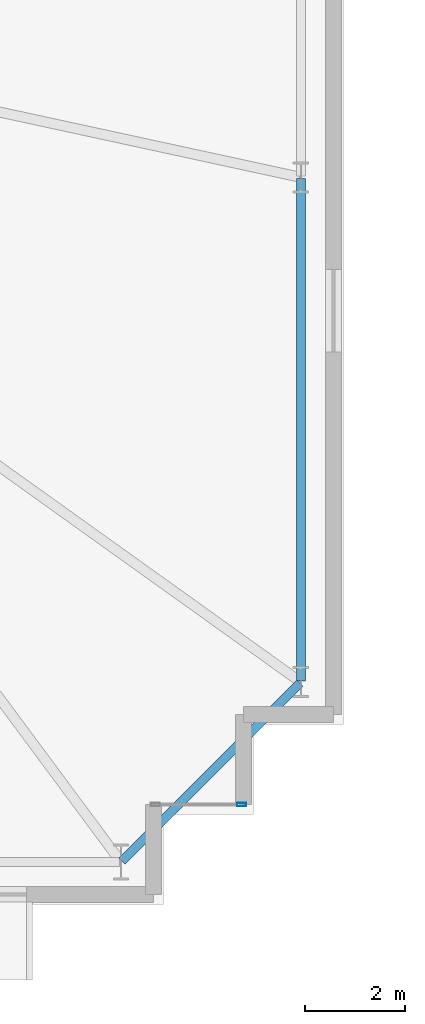
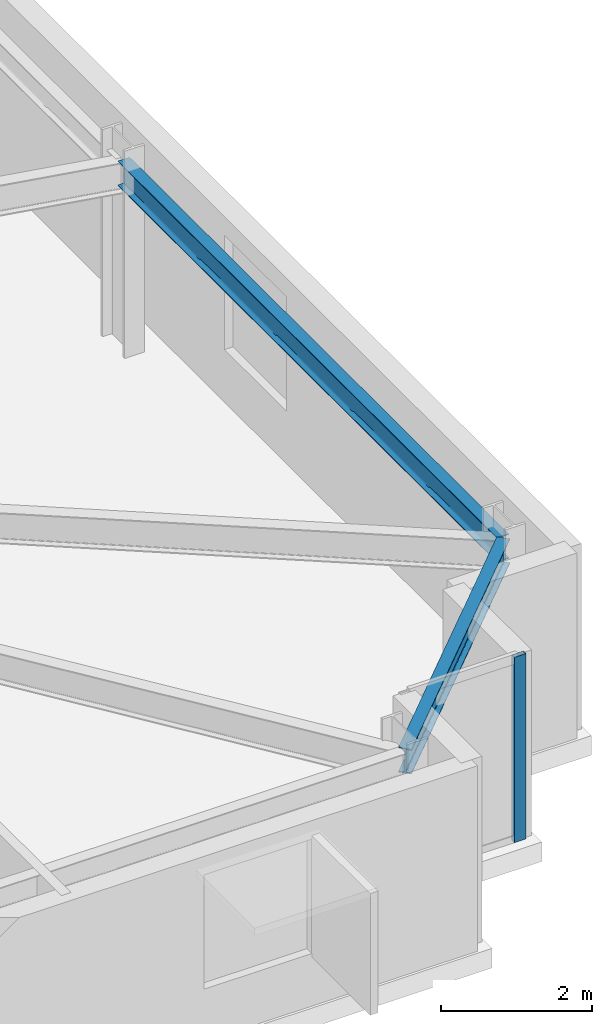
# One storey, part 10 of 20: 2 beams, 1 member, 1 element without a shape of its own.
"""IFC4 building model written with IfcOpenShell, lengths in metres."""

import ifcopenshell
import ifcopenshell.guid

model = None  # the IFC model being written
_history = None  # IfcOwnerHistory: only IFC2X3 demands one
_inside = {}  # id of a spatial element -> (the spatial element, [elements in it])
_under = {}  # id of a project, library or spatial element -> (it, [spatial elements below it])
_declared = {}  # id of a project -> (the project, [libraries it declares])
_typed = {}  # id of a type object -> (the type object, [elements of that type])
_made_of = {}  # id of a material, layer set ... -> (it, [elements and type objects made of it])


def new_model(schema):
    """Start an empty IFC model of exactly this schema.

    Asked for "IFC4X3", IfcOpenShell would pick the latest addendum, in which some entities
    have other attributes; the version numbers below select the first issue.
    IFC2X3 requires an IfcOwnerHistory on every rooted entity: one is made here for all.
    """
    global model, _history
    if schema == "IFC4X3":
        model = ifcopenshell.file(schema_version=(4, 3, 0, 0))
    else:
        model = ifcopenshell.file(schema=schema)
    _inside.clear()
    _under.clear()
    _declared.clear()
    _typed.clear()
    _made_of.clear()
    _history = None
    if model.schema == "IFC2X3":
        org = make("IfcOrganization", Name="unknown")
        user = make(
            "IfcPersonAndOrganization",
            ThePerson=make("IfcPerson", FamilyName="unknown"),
            TheOrganization=org,
        )
        app = make(
            "IfcApplication",
            ApplicationDeveloper=org,
            Version="unknown",
            ApplicationFullName="unknown",
            ApplicationIdentifier="unknown",
        )
        _history = make(
            "IfcOwnerHistory",
            OwningUser=user,
            OwningApplication=app,
            ChangeAction="ADDED",
            CreationDate=0,
        )
    return model


def make(cls, **values):
    """One entity of the class cls with the attributes given. An attribute that is None is left unset."""
    return model.create_entity(
        cls, **{name: value for name, value in values.items() if value is not None}
    )


def rooted(cls, **values):
    """An entity with a GlobalId (a new one), such as an element, a storey or a relation."""
    return make(cls, GlobalId=ifcopenshell.guid.new(), OwnerHistory=_history, **values)


def si_unit(unit_type, name, prefix=None):
    """IfcSIUnit, for example si_unit("LENGTHUNIT", "METRE", prefix="MILLI")."""
    return make("IfcSIUnit", UnitType=unit_type, Prefix=prefix, Name=name)


def assignment(units):
    """IfcUnitAssignment: the units of a project."""
    return None if units is None else make("IfcUnitAssignment", Units=units)


def point(xyz):
    """IfcCartesianPoint."""
    return None if xyz is None else make("IfcCartesianPoint", Coordinates=xyz)


def direction(xyz):
    """IfcDirection."""
    return None if xyz is None else make("IfcDirection", DirectionRatios=xyz)


def frame(location, z_axis=None, x_axis=None):
    """IfcAxis2Placement3D, a coordinate frame: its origin and axes. An axis left out is left unset."""
    return make(
        "IfcAxis2Placement3D",
        Location=point(location),
        Axis=direction(z_axis),
        RefDirection=direction(x_axis),
    )


def frame_2d(location, x_axis=None):
    """IfcAxis2Placement2D, a coordinate frame in the plane: its origin and x axis."""
    return make(
        "IfcAxis2Placement2D", Location=point(location), RefDirection=direction(x_axis)
    )


def origin():
    """The frame at (0, 0, 0) with its axes left unset."""
    return frame((0.0, 0.0, 0.0))


def origin_2d():
    """The frame at (0, 0) in the plane with its x axis left unset."""
    return frame_2d((0.0, 0.0))


def place(relative_to, where):
    """IfcLocalPlacement: puts the frame where relative to a parent placement (None: the world)."""
    return make(
        "IfcLocalPlacement", PlacementRelTo=relative_to, RelativePlacement=where
    )


def context(
    kind, dimensions, precision=None, world=None, true_north=None, identifier=None
):
    """IfcGeometricRepresentationContext, for example the 3D "Model" context."""
    return make(
        "IfcGeometricRepresentationContext",
        ContextIdentifier=identifier,
        ContextType=kind,
        CoordinateSpaceDimension=dimensions,
        Precision=precision,
        WorldCoordinateSystem=world,
        TrueNorth=true_north,
    )


def subcontext(parent, identifier, kind, view, scale=None):
    """IfcGeometricRepresentationSubContext, for example "Body" below "Model"."""
    return make(
        "IfcGeometricRepresentationSubContext",
        ContextIdentifier=identifier,
        ContextType=kind,
        ParentContext=parent,
        TargetScale=scale,
        TargetView=view,
    )


def project(units=None, contexts=None):
    """IfcProject with its units and contexts."""
    return rooted(
        "IfcProject",
        Name="project",
        RepresentationContexts=contexts,
        UnitsInContext=assignment(units),
    )


def spatial(cls, under=None, at=None, **own):
    """A site, building, storey or space (cls), placed at a placement, below another one or the project."""
    s = rooted(cls, ObjectPlacement=at, **own)
    if under is not None:
        _under.setdefault(under.id(), (under, []))[1].append(s)
    return s


def profile(cls, at=None, kind="AREA", **sizes):
    """A parametric profile (cls). Its sizes go by their IFC names, for example OverallWidth=200.0."""
    return make(cls, ProfileType=kind, Position=at, **sizes)


def hollow_rectangle(**sizes):
    """IfcRectangleHollowProfileDef."""
    return profile("IfcRectangleHollowProfileDef", **sizes)


def i_section(**sizes):
    """IfcIShapeProfileDef."""
    return profile("IfcIShapeProfileDef", **sizes)


def extrude(swept, where, along, depth):
    """IfcExtrudedAreaSolid: the profile swept, set in the frame where, extruded along a direction by depth."""
    return make(
        "IfcExtrudedAreaSolid",
        SweptArea=swept,
        Position=where,
        ExtrudedDirection=direction(along),
        Depth=depth,
    )


def shape(context_of_items, identifier, shape_type, items):
    """IfcShapeRepresentation: the items that make up one representation, for example the "Body"."""
    return make(
        "IfcShapeRepresentation",
        ContextOfItems=context_of_items,
        RepresentationIdentifier=identifier,
        RepresentationType=shape_type,
        Items=items,
    )


def material(Name=None, Category=None):
    """IfcMaterial."""
    return make("IfcMaterial", Name=Name, Category=Category)


def layer(
    of_material, thickness, ventilated=None, Name=None, Category=None, Priority=None
):
    """IfcMaterialLayer: one layer of a wall or slab, of a material (None: an air gap)."""
    return make(
        "IfcMaterialLayer",
        Material=of_material,
        LayerThickness=thickness,
        IsVentilated=ventilated,
        Name=Name,
        Category=Category,
        Priority=Priority,
    )


def layer_set(layers, Name=None):
    """IfcMaterialLayerSet."""
    return make("IfcMaterialLayerSet", MaterialLayers=layers, LayerSetName=Name)


def material_profile(
    of_material, cross_section, Name=None, Category=None, Priority=None
):
    """IfcMaterialProfile: a cross section and its material."""
    return make(
        "IfcMaterialProfile",
        Name=Name,
        Material=of_material,
        Profile=cross_section,
        Priority=Priority,
        Category=Category,
    )


def profile_set(profiles, Name=None, composite=None):
    """IfcMaterialProfileSet."""
    return make(
        "IfcMaterialProfileSet",
        Name=Name,
        MaterialProfiles=profiles,
        CompositeProfile=composite,
    )


def made_of(thing, what):
    """Note that an element or type object is made of a material, layer set ...; save() writes the relation."""
    if what is not None:
        _made_of.setdefault(what.id(), (what, []))[1].append(thing)
    return thing


def type_object(cls, material=None, **own):
    """A type object (cls), such as IfcWallType, which elements share."""
    return made_of(rooted(cls, **own), material)


def element(
    cls,
    number,
    at=None,
    inside=None,
    cuts=None,
    type_object=None,
    material=None,
    context=None,
    identifier="Body",
    shape_type=None,
    held_by="IfcProductDefinitionShape",
    body=None,
    shapes=None,
    **own,
):
    """One element of the class cls, such as IfcWall. Its Tag is "e" and its number.

    at: its placement. inside: the storey or other place that contains it. cuts: it is an
    opening in that element (IfcRelVoidsElement). A single representation is given by context,
    identifier, shape_type and body (its items); several are given by shapes. held_by: the class
    of the entity that holds the representations. save() writes the other relations.
    """
    e = rooted(cls, Tag="e%d" % number, ObjectPlacement=at, **own)
    if body is not None:
        shapes = [shape(context, identifier, shape_type, body)]
    if shapes is not None:
        e.Representation = make(held_by, Representations=shapes)
    if inside is not None:
        _inside.setdefault(inside.id(), (inside, []))[1].append(e)
    if cuts is not None:
        rooted(
            "IfcRelVoidsElement", RelatingBuildingElement=cuts, RelatedOpeningElement=e
        )
    if type_object is not None:
        _typed.setdefault(type_object.id(), (type_object, []))[1].append(e)
    return made_of(e, material)


def aggregate(whole, parts):
    """IfcRelAggregates: a whole, such as a stair, and the parts it consists of."""
    return rooted("IfcRelAggregates", RelatingObject=whole, RelatedObjects=parts)


def save(model, path):
    """Write the relations noted so far, then the file.

    IfcRelAggregates (storeys below a building ...), IfcRelContainedInSpatialStructure (elements
    in a storey), IfcRelDefinesByType, IfcRelAssociatesMaterial and IfcRelDeclares: one each for
    every whole, place, type object, material and project.
    """
    for whole, parts in _under.values():
        aggregate(whole, parts)
    for where, things in _inside.values():
        rooted(
            "IfcRelContainedInSpatialStructure",
            RelatedElements=things,
            RelatingStructure=where,
        )
    for kind, things in _typed.values():
        rooted("IfcRelDefinesByType", RelatedObjects=things, RelatingType=kind)
    for what, things in _made_of.values():
        rooted("IfcRelAssociatesMaterial", RelatedObjects=things, RelatingMaterial=what)
    for by, libraries in _declared.values():
        rooted("IfcRelDeclares", RelatingContext=by, RelatedDefinitions=libraries)
    model.write(path)


model = new_model("IFC4")

# Units and contexts
model_context = context("Model", 3, precision=1e-05, world=origin(), true_north=direction((0.0, 1.0)))
body_context = subcontext(model_context, "Body", "Model", "MODEL_VIEW")
ifc_project = project(units=[si_unit("LENGTHUNIT", "METRE"), si_unit("AREAUNIT", "SQUARE_METRE"), si_unit("VOLUMEUNIT", "CUBIC_METRE"), si_unit("PLANEANGLEUNIT", "RADIAN"), si_unit("MASSUNIT", "GRAM", prefix="KILO")], contexts=[model_context])

# Site, building, storey
site_placement = place(None, origin())
site = spatial("IfcSite", under=ifc_project, at=site_placement, CompositionType="ELEMENT")
building_placement = place(site_placement, origin())
building = spatial("IfcBuilding", under=site, at=building_placement, Name="Qobustan Lattice House", CompositionType="ELEMENT")
storey_placement = place(building_placement, frame((0.0, 0.0, 70.550048828125)))
storey = spatial("IfcBuildingStorey", under=building, at=storey_placement, Name="L19", CompositionType="ELEMENT", Elevation=70.550048828125)

# Beams
ifc_material_1 = material(Name="Steel S355", Category="steel")
ifc_material_profile_1 = material_profile(ifc_material_1, i_section(OverallWidth=0.179931640625, OverallDepth=0.39990234375, WebThickness=0.008544921875, FlangeThickness=0.013427734375, FilletRadius=0.02099609375, at=origin_2d()), Name="IPE400")
ifc_profile_set_1 = profile_set([ifc_material_profile_1], Name="Steel S355")
beam_type = type_object("IfcBeamType", Name="BM-SPD-IPE400", PredefinedType="SPANDREL", material=ifc_profile_set_1)
beam_1_placement = place(storey_placement, frame((28.567626953125, -18.732421875, 2.800048828125), z_axis=(0.707106781187, 0.707106781187, 0.0), x_axis=(-0.707106781187, 0.707106781187, 0.0)))
element("IfcBeam", 1, at=beam_1_placement, inside=storey, type_object=beam_type, Name="L19 perimeter spandrel S7-E1", PredefinedType="SPANDREL", context=body_context, shape_type="SweptSolid", body=[
    extrude(i_section(OverallWidth=0.179931640625, OverallDepth=0.39990234375, WebThickness=0.008544921875, FlangeThickness=0.013427734375, FilletRadius=0.02099609375, at=origin_2d()), origin(), (0.0, 0.0, 1.0), 5.041259765625),
])
beam_2_placement = place(storey_placement, frame((32.14990234375, -15.125, 2.800048828125), z_axis=(0.0, 1.0, 0.0), x_axis=(-1.0, 0.0, 0.0)))
element("IfcBeam", 2, at=beam_2_placement, inside=storey, type_object=beam_type, Name="L19 perimeter spandrel E1-E2", PredefinedType="SPANDREL", context=body_context, shape_type="SweptSolid", body=[
    extrude(i_section(OverallWidth=0.179931640625, OverallDepth=0.39990234375, WebThickness=0.008544921875, FlangeThickness=0.013427734375, FilletRadius=0.02099609375, at=origin_2d()), origin(), (0.0, 0.0, 1.0), 10.050048828125),
])

# Curtain wall, member
ifc_material_2 = material(Name="Anodised aluminium and low-E glazing", Category="aluminium")
ifc_layer = layer(ifc_material_2, 0.219970703125)
ifc_layer_set = layer_set([ifc_layer], Name="Anodised aluminium and low-E glazing")
curtain_wall_type = type_object("IfcCurtainWallType", Name="CW-FAC-01", PredefinedType="USERDEFINED", material=ifc_layer_set)
curtain_wall_placement = place(storey_placement, origin())
curtain_wall = element("IfcCurtainWall", 3, at=curtain_wall_placement, inside=storey, type_object=curtain_wall_type, Name="L19 serrated corner faceted glazing 18", ObjectType="CURTAIN WALL", PredefinedType="USERDEFINED")
ifc_material_3 = material(Name="Anodised aluminium EN AW-6063 T6", Category="aluminium")
ifc_material_profile_2 = material_profile(ifc_material_3, hollow_rectangle(XDim=0.070068359375, YDim=0.179931640625, WallThickness=0.00439453125, at=origin_2d()), Name="CWM-180x70")
ifc_profile_set_2 = profile_set([ifc_material_profile_2], Name="Anodised aluminium EN AW-6063 T6")
member_type = type_object("IfcMemberType", Name="CWM-STD-180", PredefinedType="MULLION", material=ifc_profile_set_2)
member_placement = place(storey_placement, frame((30.965087890625, -17.60009765625, 0.0), z_axis=(0.0, 0.0, 1.0), x_axis=(0.0, -1.0, 0.0)))
member = element("IfcMember", 4, at=member_placement, type_object=member_type, Name="CW-F1 mullion 1", PredefinedType="MULLION", context=body_context, shape_type="SweptSolid", body=[
    extrude(hollow_rectangle(XDim=0.070068359375, YDim=0.179931640625, WallThickness=0.00439453125, at=origin_2d()), origin(), (0.0, 0.0, 1.0), 3.0),
])
aggregate(curtain_wall, [member])

save(model, "model.ifc")
